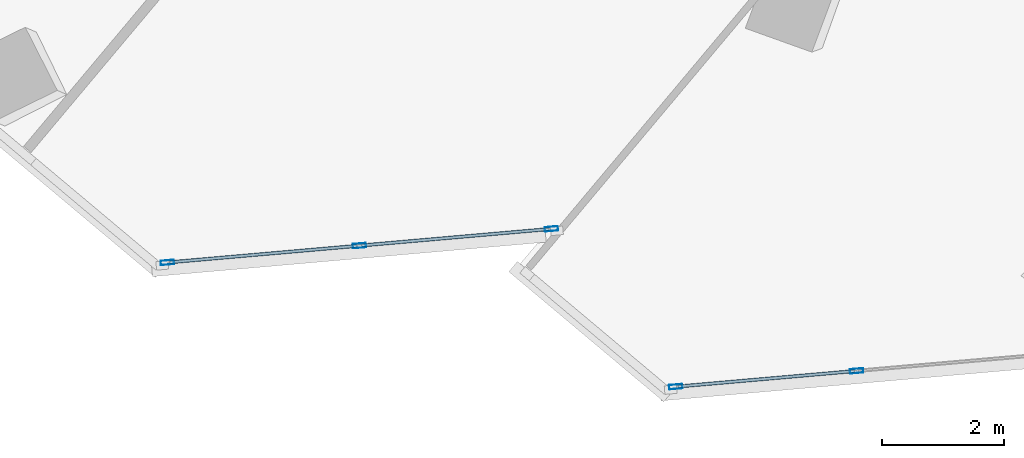
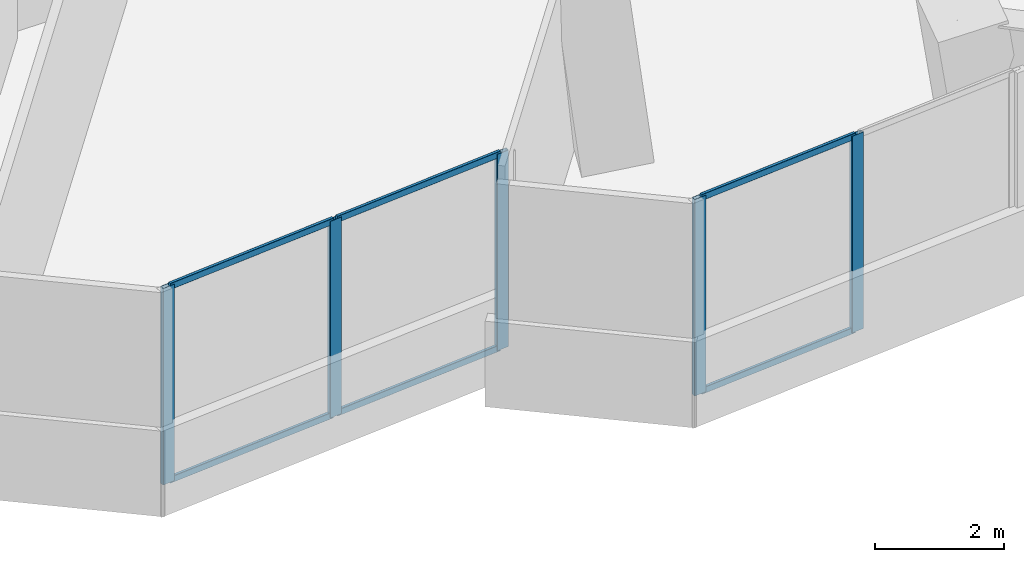
# One storey, part 3 of 18: 11 members, 2 elements without a shape of their own.
"""IFC4 building model written with IfcOpenShell, lengths in metres."""

from ifc_helpers import new_model, si_unit, direction, frame, origin, origin_2d, place, context, subcontext, project, spatial, hollow_rectangle, extrude, source, transform, mapped, material, material_profile, profile_set, type_object, element, aggregate, save


model = new_model("IFC4")

# Units and contexts
model_context = context("Model", 3, precision=1e-05, world=origin(), true_north=direction((0.0, 1.0)))
body_context = subcontext(model_context, "Body", "Model", "MODEL_VIEW")
ifc_project = project(units=[si_unit("LENGTHUNIT", "METRE"), si_unit("AREAUNIT", "SQUARE_METRE"), si_unit("VOLUMEUNIT", "CUBIC_METRE"), si_unit("PLANEANGLEUNIT", "RADIAN"), si_unit("MASSUNIT", "GRAM", prefix="KILO")], contexts=[model_context])

# Site, building, storey
site_placement = place(None, origin())
site = spatial("IfcSite", under=ifc_project, at=site_placement, CompositionType="ELEMENT")
building_placement = place(site_placement, origin())
building = spatial("IfcBuilding", under=site, at=building_placement, Name="Torre Montelarca", CompositionType="ELEMENT")
storey_placement = place(building_placement, frame((0.0, 0.0, 224.800048828125)))
storey = spatial("IfcBuildingStorey", under=building, at=storey_placement, Name="L50", CompositionType="ELEMENT", Elevation=224.800048828125)

# Curtain wall, members
ifc_material_1 = material(Name="Insulated low-E laminated glass", Category="glass")
curtain_wall_type = type_object("IfcCurtainWallType", Name="CW-SYS-Z3", PredefinedType="USERDEFINED", material=ifc_material_1)
curtain_wall_1_placement = place(storey_placement, origin())
curtain_wall_1 = element("IfcCurtainWall", 1, at=curtain_wall_1_placement, inside=storey, type_object=curtain_wall_type, Name="L50 Curtain Wall Run CW-T3-L50-E02-B1", ObjectType="UNITISED GLAZING", PredefinedType="USERDEFINED")
ifc_material_2 = material(Name="Anodised aluminium AA 6063-T6", Category="aluminium")
ifc_material_profile_1 = material_profile(ifc_material_2, hollow_rectangle(XDim=0.054931640625, YDim=0.1201171875, WallThickness=0.00341796875, InnerFilletRadius=0.00341796875, OuterFilletRadius=0.007080078125, at=origin_2d()), Name="ALU55X120X3.5", Category="aluminium")
ifc_profile_set_1 = profile_set([ifc_material_profile_1], Name="Anodised aluminium AA 6063-T6")
member_type_1 = type_object("IfcMemberType", Name="CWT-ALU120", PredefinedType="USERDEFINED", material=ifc_profile_set_1)
shared_shape_1 = source(origin(), body_context, "Body", "SweptSolid", [
    extrude(hollow_rectangle(XDim=0.054931640625, YDim=0.1201171875, WallThickness=0.00341796875, InnerFilletRadius=0.00341796875, OuterFilletRadius=0.007080078125, at=origin_2d()), origin(), (0.0, 0.0, 1.0), 3.08740234375),
])
member_1_placement = place(storey_placement, frame((17.077392578125, 12.294677734375, 0.02734375), z_axis=(0.996189081196, 0.087219920349, 0.0), x_axis=(-0.087219920349, 0.996189081196, 0.0)))
member_1 = element("IfcMember", 2, at=member_1_placement, type_object=member_type_1, Name="CW transom 1.1", ObjectType="TRANSOM", PredefinedType="USERDEFINED", context=body_context, shape_type="MappedRepresentation", body=[
    mapped(shared_shape_1, transform((0.0, 0.0, 0.0), scale=1.0)),
])
member_2_placement = place(storey_placement, frame((17.077392578125, 12.294677734375, 3.6923828125), z_axis=(0.996189081196, 0.087219920349, 0.0), x_axis=(-0.087219920349, 0.996189081196, 0.0)))
member_2 = element("IfcMember", 3, at=member_2_placement, type_object=member_type_1, Name="CW transom 1.2", ObjectType="TRANSOM", PredefinedType="USERDEFINED", context=body_context, shape_type="MappedRepresentation", body=[
    mapped(shared_shape_1, transform((0.0, 0.0, 0.0), scale=1.0)),
])
shared_shape_2 = source(origin(), body_context, "Body", "SweptSolid", [
    extrude(hollow_rectangle(XDim=0.054931640625, YDim=0.1201171875, WallThickness=0.00341796875, InnerFilletRadius=0.00341796875, OuterFilletRadius=0.007080078125, at=origin_2d()), origin(), (0.0, 0.0, 1.0), 3.087158203125),
])
member_3_placement = place(storey_placement, frame((20.22802734375, 12.570556640625, 0.02734375), z_axis=(0.996195348257, 0.087148311009, 0.0), x_axis=(-0.087148311009, 0.996195348257, 0.0)))
member_3 = element("IfcMember", 4, at=member_3_placement, type_object=member_type_1, Name="CW transom 2.1", ObjectType="TRANSOM", PredefinedType="USERDEFINED", context=body_context, shape_type="MappedRepresentation", body=[
    mapped(shared_shape_2, transform((0.0, 0.0, 0.0), scale=1.0)),
])
member_4_placement = place(storey_placement, frame((20.22802734375, 12.570556640625, 3.6923828125), z_axis=(0.996195348257, 0.087148311009, 0.0), x_axis=(-0.087148311009, 0.996195348257, 0.0)))
member_4 = element("IfcMember", 5, at=member_4_placement, type_object=member_type_1, Name="CW transom 2.2", ObjectType="TRANSOM", PredefinedType="USERDEFINED", context=body_context, shape_type="MappedRepresentation", body=[
    mapped(shared_shape_2, transform((0.0, 0.0, 0.0), scale=1.0)),
])

curtain_wall_2_placement = place(storey_placement, origin())
curtain_wall_2 = element("IfcCurtainWall", 6, at=curtain_wall_2_placement, inside=storey, type_object=curtain_wall_type, Name="L50 Curtain Wall Run CW-T3-L50-E05-B1", ObjectType="UNITISED GLAZING", PredefinedType="USERDEFINED")
shared_shape_3 = source(origin(), body_context, "Body", "SweptSolid", [
    extrude(hollow_rectangle(XDim=0.054931640625, YDim=0.1201171875, WallThickness=0.00341796875, InnerFilletRadius=0.00341796875, OuterFilletRadius=0.007080078125, at=origin_2d()), origin(), (0.0, 0.0, 1.0), 2.903564453125),
])
member_5_placement = place(storey_placement, frame((25.418701171875, 10.25634765625, 0.02734375), z_axis=(0.996198826652, 0.08710854021, 0.0), x_axis=(-0.08710854021, 0.996198826652, 0.0)))
member_5 = element("IfcMember", 7, at=member_5_placement, type_object=member_type_1, Name="CW transom 1.1", ObjectType="TRANSOM", PredefinedType="USERDEFINED", context=body_context, shape_type="MappedRepresentation", body=[
    mapped(shared_shape_3, transform((0.0, 0.0, 0.0), scale=1.0)),
])
member_6_placement = place(storey_placement, frame((25.418701171875, 10.25634765625, 3.6923828125), z_axis=(0.996198826652, 0.08710854021, 0.0), x_axis=(-0.08710854021, 0.996198826652, 0.0)))
member_6 = element("IfcMember", 8, at=member_6_placement, type_object=member_type_1, Name="CW transom 1.2", ObjectType="TRANSOM", PredefinedType="USERDEFINED", context=body_context, shape_type="MappedRepresentation", body=[
    mapped(shared_shape_3, transform((0.0, 0.0, 0.0), scale=1.0)),
])

# Member
ifc_material_profile_2 = material_profile(ifc_material_2, hollow_rectangle(XDim=0.074951171875, YDim=0.219970703125, WallThickness=0.0048828125, InnerFilletRadius=0.0048828125, OuterFilletRadius=0.010009765625, at=origin_2d()), Name="ALU75X220X5", Category="aluminium")
ifc_profile_set_2 = profile_set([ifc_material_profile_2], Name="Anodised aluminium AA 6063-T6")
member_type_2 = type_object("IfcMemberType", Name="CWM-ALU220", PredefinedType="MULLION", material=ifc_profile_set_2)
shared_shape_4 = source(origin(), body_context, "Body", "SweptSolid", [
    extrude(hollow_rectangle(XDim=0.074951171875, YDim=0.219970703125, WallThickness=0.0048828125, InnerFilletRadius=0.0048828125, OuterFilletRadius=0.010009765625, at=origin_2d()), origin(), (0.0, 0.0, 1.0), 3.719970703125),
])
member_7_placement = place(storey_placement, frame((17.0400390625, 12.29150390625, 0.0), z_axis=(0.0, 0.0, 1.0), x_axis=(-0.087189240987, 0.996191766808, 0.0)))
member_7 = element("IfcMember", 9, at=member_7_placement, type_object=member_type_2, Name="CW mullion 1", PredefinedType="MULLION", context=body_context, shape_type="MappedRepresentation", body=[
    mapped(shared_shape_4, transform((0.0, 0.0, 0.0), scale=1.0)),
])

member_8_placement = place(storey_placement, frame((20.1904296875, 12.567138671875, 0.0), z_axis=(0.0, 0.0, 1.0), x_axis=(-0.087189240987, 0.996191766808, 0.0)))
member_8 = element("IfcMember", 10, at=member_8_placement, type_object=member_type_2, Name="CW mullion 2", PredefinedType="MULLION", context=body_context, shape_type="MappedRepresentation", body=[
    mapped(shared_shape_4, transform((0.0, 0.0, 0.0), scale=1.0)),
])

member_9_placement = place(storey_placement, frame((23.341064453125, 12.843017578125, 0.0), z_axis=(0.0, 0.0, 1.0), x_axis=(-0.087189240987, 0.996191766808, 0.0)))
member_9 = element("IfcMember", 11, at=member_9_placement, type_object=member_type_2, Name="CW mullion 3", PredefinedType="MULLION", context=body_context, shape_type="MappedRepresentation", body=[
    mapped(shared_shape_4, transform((0.0, 0.0, 0.0), scale=1.0)),
])

aggregate(curtain_wall_1, [member_7, member_8, member_9, member_1, member_2, member_3, member_4])

member_10_placement = place(storey_placement, frame((25.38134765625, 10.2529296875, 0.0), z_axis=(0.0, 0.0, 1.0), x_axis=(-0.087181139731, 0.996192475817, 0.0)))
member_10 = element("IfcMember", 12, at=member_10_placement, type_object=member_type_2, Name="CW mullion 1", PredefinedType="MULLION", context=body_context, shape_type="MappedRepresentation", body=[
    mapped(shared_shape_4, transform((0.0, 0.0, 0.0), scale=1.0)),
])

member_11_placement = place(storey_placement, frame((28.3486328125, 10.5126953125, 0.0), z_axis=(0.0, 0.0, 1.0), x_axis=(-0.087181139731, 0.996192475817, 0.0)))
member_11 = element("IfcMember", 13, at=member_11_placement, type_object=member_type_2, Name="CW mullion 2", PredefinedType="MULLION", context=body_context, shape_type="MappedRepresentation", body=[
    mapped(shared_shape_4, transform((0.0, 0.0, 0.0), scale=1.0)),
])

aggregate(curtain_wall_2, [member_10, member_11, member_5, member_6])

save(model, "model.ifc")
